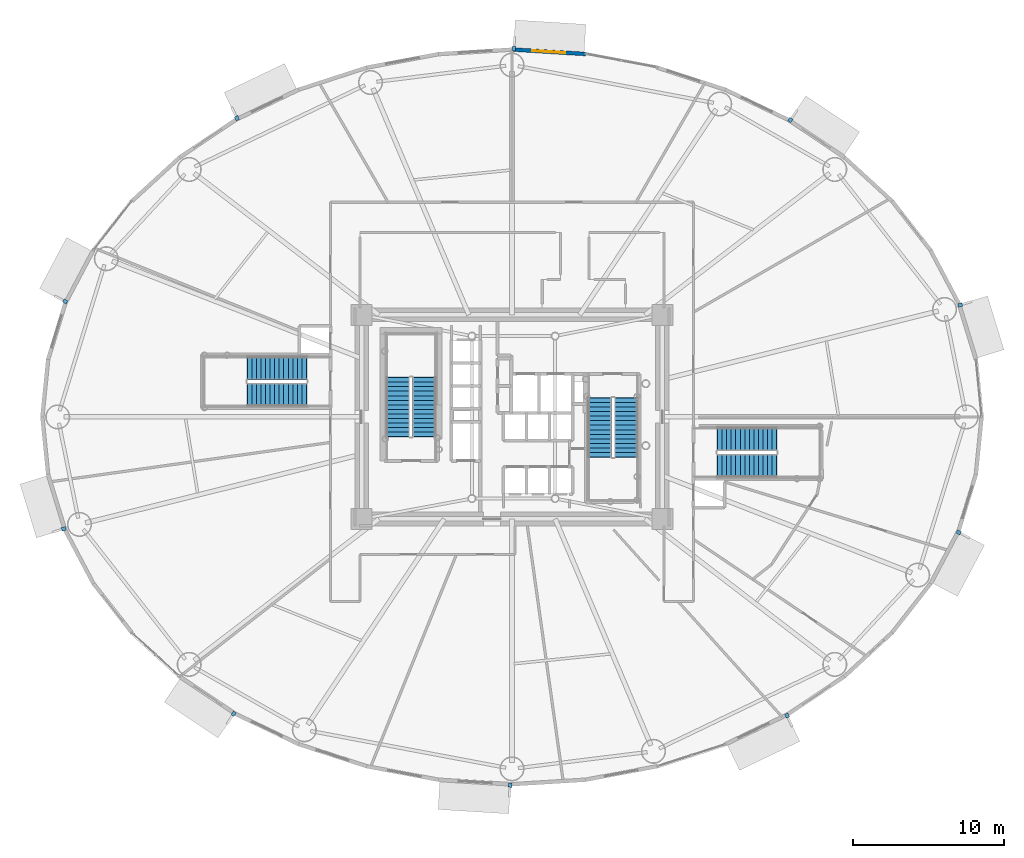
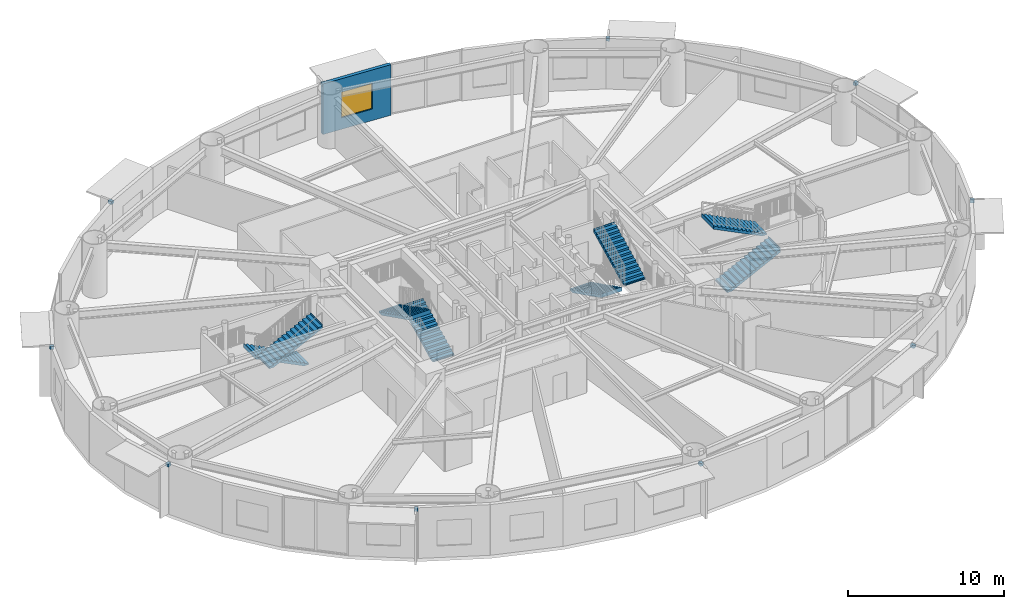
# One storey, part 17 of 29: 10 discrete accessories, 8 stair flights, 1 wall, 1 window, 1 opening, 4 elements without a shape of their own.
"""IFC4 building model written with IfcOpenShell, lengths in metres."""

from ifc_helpers import new_model, si_unit, direction, frame, frame_2d, origin, origin_2d, place, context, subcontext, project, spatial, polyline, rectangle, outline, extrude, source, transform, mapped, material, layer, layer_set, type_object, element, fill, aggregate, save


model = new_model("IFC4")

# Units and contexts
model_context = context("Model", 3, precision=1e-05, world=origin(), true_north=direction((0.0, 1.0)))
body_context = subcontext(model_context, "Body", "Model", "MODEL_VIEW")
ifc_project = project(units=[si_unit("LENGTHUNIT", "METRE"), si_unit("AREAUNIT", "SQUARE_METRE"), si_unit("VOLUMEUNIT", "CUBIC_METRE"), si_unit("PLANEANGLEUNIT", "RADIAN"), si_unit("MASSUNIT", "GRAM", prefix="KILO")], contexts=[model_context])

# Site, building, storey
site_placement = place(None, origin())
site = spatial("IfcSite", under=ifc_project, at=site_placement, CompositionType="ELEMENT")
building_placement = place(site_placement, origin())
building = spatial("IfcBuilding", under=site, at=building_placement, Name="Linh Dai School and Residence Tower", CompositionType="ELEMENT")
storey_placement = place(building_placement, frame((0.0, 0.0, 45.0)))
storey = spatial("IfcBuildingStorey", under=building, at=storey_placement, Name="L10", CompositionType="ELEMENT", Elevation=45.0)

# Wall, opening, window
ifc_material_1 = material(Name="Precast Concrete B45 (C35/45)", Category="concrete")
ifc_layer = layer(ifc_material_1, 0.25)
ifc_layer_set = layer_set([ifc_layer], Name="Precast Concrete B45 (C35/45)")
wall_type = type_object("IfcWallType", Name="EW-TC-250", PredefinedType="SOLIDWALL", material=ifc_layer_set)
wall_placement = place(storey_placement, frame((36.0, 51.304931640625, 0.0), z_axis=(0.0, 0.0, 1.0), x_axis=(0.998106954071, -0.061502099433, 0.0)))
wall = element("IfcWall", 1, at=wall_placement, inside=storey, type_object=wall_type, Name="L10 Terracotta Exterior Wall 10", PredefinedType="SOLIDWALL", context=body_context, shape_type="SweptSolid", body=[
    extrude(rectangle(XDim=4.874755859375, YDim=0.25, at=frame_2d((2.4375, 0.0))), origin(), (0.0, 0.0, 1.0), 3.949951171875),
])
opening_placement = place(wall_placement, frame((1.33740234375, 0.0, 0.89990234375)))
opening = element("IfcOpeningElement", 2, at=opening_placement, cuts=wall, Name="Opening W4", PredefinedType="OPENING", context=body_context, shape_type="SweptSolid", body=[
    extrude(rectangle(XDim=2.199951171875, YDim=2.0, at=origin_2d()), frame((1.10009765625, 0.135009765625, 1.0), z_axis=(0.0, -1.0, 0.0), x_axis=(1.0, 0.0, 0.0)), (0.0, 0.0, 1.0), 0.27001953125),
])
ifc_material_2 = material(Name="Acoustic Laminated Low-E Glazing", Category="glass")
window_type = type_object("IfcWindowType", Name="WN-SCH-2200x2000", PartitioningType="TRIPLE_PANEL_VERTICAL", PredefinedType="WINDOW", material=ifc_material_2)
shared_shape_1 = source(origin(), body_context, "Body", "SweptSolid", [
    extrude(rectangle(XDim=2.199951171875, YDim=2.0, at=origin_2d()), frame((1.10009765625, 0.030029296875, 1.0), z_axis=(0.0, -1.0, 0.0), x_axis=(1.0, 0.0, 0.0)), (0.0, 0.0, 1.0), 0.06005859375),
])
window_placement = place(opening_placement, origin())
window = element("IfcWindow", 3, at=window_placement, inside=storey, type_object=window_type, Name="L10 Exterior Window 10.1", OverallHeight=2.0, OverallWidth=2.199951171875, PartitioningType="TRIPLE_PANEL_VERTICAL", PredefinedType="WINDOW", context=body_context, shape_type="MappedRepresentation", body=[
    mapped(shared_shape_1, transform((0.0, 0.0, 0.0), x_axis=(1.0, 0.0, 0.0), y_axis=(0.0, 1.0, 0.0), z_axis=(0.0, 0.0, 1.0), scale=1.0)),
])
fill(opening, window)

# Stair, stair flights
ifc_material_3 = material(Name="Concrete B45 (C35/45)", Category="concrete")
stair_type = type_object("IfcStairType", Name="ST-DOG-1550-R1500", PredefinedType="HALF_TURN_STAIR", material=ifc_material_3)
stair_1_placement = place(storey_placement, origin())
stair_1 = element("IfcStair", 4, at=stair_1_placement, inside=storey, type_object=stair_type, Name="L10 Core Smokeproof Exit Stair ST1", PredefinedType="HALF_TURN_STAIR")
stair_flight_type = type_object("IfcStairFlightType", Name="STF-STR-1550-R1500", PredefinedType="STRAIGHT", material=ifc_material_3)
shared_shape_2 = source(origin(), body_context, "Body", "SweptSolid", [
    extrude(outline(polyline([(-0.02490234375, 0.0), (-0.02490234375, 0.06005859375), (0.0, 0.06005859375), (0.0, 0.14990234375), (0.300048828125, 0.14990234375), (0.300048828125, 0.300048828125), (0.60009765625, 0.300048828125), (0.60009765625, 0.449951171875), (0.89990234375, 0.449951171875), (0.89990234375, 0.60009765625), (1.199951171875, 0.60009765625), (1.199951171875, 0.75), (1.5, 0.75), (1.5, 0.89990234375), (1.800048828125, 0.89990234375), (1.800048828125, 1.050048828125), (2.10009765625, 1.050048828125), (2.10009765625, 1.199951171875), (2.39990234375, 1.199951171875), (2.39990234375, 1.35009765625), (2.699951171875, 1.35009765625), (2.699951171875, 1.5), (3.0, 1.5), (3.0, 1.64990234375), (3.300048828125, 1.64990234375), (3.300048828125, 1.800048828125), (3.60009765625, 1.800048828125), (3.60009765625, 1.949951171875), (3.89990234375, 1.949951171875), (3.89990234375, 2.10009765625), (3.925048828125, 2.10009765625), (3.925048828125, 1.782470703125), (3.89990234375, 1.782470703125), (0.335205078125, 0.0), (-0.02490234375, 0.0)])), frame((0.0, 0.77490234375, 0.0), z_axis=(0.0, -1.0, 0.0), x_axis=(1.0, 0.0, 0.0)), (0.0, 0.0, 1.0), 1.550048828125),
])
stair_flight_1_placement = place(storey_placement, frame((30.205078125, 25.699951171875, 0.0), z_axis=(0.0, 0.0, 1.0), x_axis=(0.0, 1.0, 0.0)))
stair_flight_1 = element("IfcStairFlight", 5, at=stair_flight_1_placement, type_object=stair_flight_type, Name="ST1 flight 1", NumberOfRisers=14, NumberOfTreads=13, PredefinedType="STRAIGHT", RiserHeight=0.15, TreadLength=0.3, context=body_context, shape_type="MappedRepresentation", body=[
    mapped(shared_shape_2, transform((0.0, 0.0, 0.0), x_axis=(1.0, 0.0, 0.0), y_axis=(0.0, 1.0, 0.0), z_axis=(0.0, 0.0, 1.0), scale=1.0)),
])
stair_flight_2_placement = place(storey_placement, frame((28.455078125, 29.60009765625, 2.10009765625), z_axis=(0.0, 0.0, 1.0), x_axis=(0.0, -1.0, 0.0)))
stair_flight_2 = element("IfcStairFlight", 6, at=stair_flight_2_placement, type_object=stair_flight_type, Name="ST1 flight 2", NumberOfRisers=14, NumberOfTreads=13, PredefinedType="STRAIGHT", RiserHeight=0.15, TreadLength=0.3, context=body_context, shape_type="MappedRepresentation", body=[
    mapped(shared_shape_2, transform((0.0, 0.0, 0.0), x_axis=(1.0, 0.0, 0.0), y_axis=(0.0, 1.0, 0.0), z_axis=(0.0, 0.0, 1.0), scale=1.0)),
])
aggregate(stair_1, [stair_flight_1, stair_flight_2])

stair_2_placement = place(storey_placement, origin())
stair_2 = element("IfcStair", 7, at=stair_2_placement, inside=storey, type_object=stair_type, Name="L10 Core Smokeproof Exit Stair ST2", PredefinedType="HALF_TURN_STAIR")
stair_flight_3_placement = place(storey_placement, frame((41.794921875, 28.25, 0.0), z_axis=(0.0, 0.0, 1.0), x_axis=(0.0, -1.0, 0.0)))
stair_flight_3 = element("IfcStairFlight", 8, at=stair_flight_3_placement, type_object=stair_flight_type, Name="ST2 flight 1", NumberOfRisers=14, NumberOfTreads=13, PredefinedType="STRAIGHT", RiserHeight=0.15, TreadLength=0.3, context=body_context, shape_type="MappedRepresentation", body=[
    mapped(shared_shape_2, transform((0.0, 0.0, 0.0), x_axis=(1.0, 0.0, 0.0), y_axis=(0.0, 1.0, 0.0), z_axis=(0.0, 0.0, 1.0), scale=1.0)),
])
stair_flight_4_placement = place(storey_placement, frame((43.544921875, 24.35009765625, 2.10009765625), z_axis=(0.0, 0.0, 1.0), x_axis=(0.0, 1.0, 0.0)))
stair_flight_4 = element("IfcStairFlight", 9, at=stair_flight_4_placement, type_object=stair_flight_type, Name="ST2 flight 2", NumberOfRisers=14, NumberOfTreads=13, PredefinedType="STRAIGHT", RiserHeight=0.15, TreadLength=0.3, context=body_context, shape_type="MappedRepresentation", body=[
    mapped(shared_shape_2, transform((0.0, 0.0, 0.0), x_axis=(1.0, 0.0, 0.0), y_axis=(0.0, 1.0, 0.0), z_axis=(0.0, 0.0, 1.0), scale=1.0)),
])
aggregate(stair_2, [stair_flight_3, stair_flight_4])

stair_3_placement = place(storey_placement, origin())
stair_3 = element("IfcStair", 10, at=stair_3_placement, inside=storey, type_object=stair_type, Name="L10 School Exit Stair STS1", PredefinedType="HALF_TURN_STAIR")
stair_flight_5_placement = place(storey_placement, frame((22.39990234375, 30.22509765625, 0.0), z_axis=(0.0, 0.0, 1.0), x_axis=(-1.0, 0.0, 0.0)))
stair_flight_5 = element("IfcStairFlight", 11, at=stair_flight_5_placement, type_object=stair_flight_type, Name="STS1 flight 1", NumberOfRisers=14, NumberOfTreads=13, PredefinedType="STRAIGHT", RiserHeight=0.15, TreadLength=0.3, context=body_context, shape_type="MappedRepresentation", body=[
    mapped(shared_shape_2, transform((0.0, 0.0, 0.0), x_axis=(1.0, 0.0, 0.0), y_axis=(0.0, 1.0, 0.0), z_axis=(0.0, 0.0, 1.0), scale=1.0)),
])
stair_flight_6_placement = place(storey_placement, frame((18.5, 28.47509765625, 2.10009765625), z_axis=(0.0, 0.0, 1.0), x_axis=(1.0, 0.0, 0.0)))
stair_flight_6 = element("IfcStairFlight", 12, at=stair_flight_6_placement, type_object=stair_flight_type, Name="STS1 flight 2", NumberOfRisers=14, NumberOfTreads=13, PredefinedType="STRAIGHT", RiserHeight=0.15, TreadLength=0.3, context=body_context, shape_type="MappedRepresentation", body=[
    mapped(shared_shape_2, transform((0.0, 0.0, 0.0), x_axis=(1.0, 0.0, 0.0), y_axis=(0.0, 1.0, 0.0), z_axis=(0.0, 0.0, 1.0), scale=1.0)),
])
aggregate(stair_3, [stair_flight_5, stair_flight_6])

stair_4_placement = place(storey_placement, origin())
stair_4 = element("IfcStair", 13, at=stair_4_placement, inside=storey, type_object=stair_type, Name="L10 School Exit Stair STS2", PredefinedType="HALF_TURN_STAIR")
stair_flight_7_placement = place(storey_placement, frame((49.60009765625, 23.77490234375, 0.0), z_axis=(0.0, 0.0, 1.0), x_axis=(1.0, 0.0, 0.0)))
stair_flight_7 = element("IfcStairFlight", 14, at=stair_flight_7_placement, type_object=stair_flight_type, Name="STS2 flight 1", NumberOfRisers=14, NumberOfTreads=13, PredefinedType="STRAIGHT", RiserHeight=0.15, TreadLength=0.3, context=body_context, shape_type="MappedRepresentation", body=[
    mapped(shared_shape_2, transform((0.0, 0.0, 0.0), x_axis=(1.0, 0.0, 0.0), y_axis=(0.0, 1.0, 0.0), z_axis=(0.0, 0.0, 1.0), scale=1.0)),
])
stair_flight_8_placement = place(storey_placement, frame((53.5, 25.52490234375, 2.10009765625), z_axis=(0.0, 0.0, 1.0), x_axis=(-1.0, 0.0, 0.0)))
stair_flight_8 = element("IfcStairFlight", 15, at=stair_flight_8_placement, type_object=stair_flight_type, Name="STS2 flight 2", NumberOfRisers=14, NumberOfTreads=13, PredefinedType="STRAIGHT", RiserHeight=0.15, TreadLength=0.3, context=body_context, shape_type="MappedRepresentation", body=[
    mapped(shared_shape_2, transform((0.0, 0.0, 0.0), x_axis=(1.0, 0.0, 0.0), y_axis=(0.0, 1.0, 0.0), z_axis=(0.0, 0.0, 1.0), scale=1.0)),
])
aggregate(stair_4, [stair_flight_7, stair_flight_8])

# Discrete accessories
ifc_material_4 = material(Name="Structural Steel S355JR", Category="steel")
discrete_accessory_type = type_object("IfcDiscreteAccessoryType", Name="ACC-BRK-S355", PredefinedType="BRACKET", material=ifc_material_4)
shared_shape_3 = source(origin(), body_context, "Body", "SweptSolid", [
    extrude(rectangle(XDim=0.280029296875, YDim=0.239990234375, at=origin_2d()), origin(), (0.0, 0.0, 1.0), 0.219970703125),
])
for number, where, z_axis, x_axis, name in (
    (16, (65.650146484375, 34.404296875, 3.7001953125), (0.0, 0.0, 1.0), (0.956067769001, 0.293145733514, 0.0), "L10 Facade Frame Anchor Bracket 02"),
    (17, (54.41015625, 46.638916015625, 3.7001953125), (0.0, 0.0, 1.0), (0.555897899828, 0.831250578927, 0.0), "L10 Facade Frame Anchor Bracket 06"),
    (18, (36.12353515625, 51.357421875, 3.7001953125), (0.0, 0.0, 1.0), (0.061506595367, 0.998106677027, 0.0), "L10 Facade Frame Anchor Bracket 10"),
    (19, (17.80517578125, 46.76171875, 3.7001953125), (0.0, 0.0, 1.0), (-0.432603008528, 0.901584514626, 0.0), "L10 Facade Frame Anchor Bracket 14"),
    (20, (6.445556640625, 34.635498046875, 3.7001953125), (0.0, 0.0, 1.0), (-0.883933862645, 0.467611940042, 0.0), "L10 Facade Frame Anchor Bracket 18"),
    (21, (6.349853515625, 19.595703125, 3.7001953125), (0.0, 0.0, 1.0), (-0.956067769001, -0.293145733514, 0.0), "L10 Facade Frame Anchor Bracket 22"),
    (22, (17.58984375, 7.361083984375, 3.7001953125), (0.0, 0.0, 1.0), (-0.555897899828, -0.831250578927, 0.0), "L10 Facade Frame Anchor Bracket 26"),
    (23, (35.87646484375, 2.642578125, 3.7001953125), (0.0, 0.0, 1.0), (-0.061506595367, -0.998106677027, 0.0), "L10 Facade Frame Anchor Bracket 30"),
    (24, (54.19482421875, 7.23828125, 3.7001953125), (0.0, 0.0, 1.0), (0.432603008528, -0.901584514626, 0.0), "L10 Facade Frame Anchor Bracket 34"),
    (25, (65.554443359375, 19.364501953125, 3.7001953125), (0.0, 0.0, 1.0), (0.883933862645, -0.467611940042, 0.0), "L10 Facade Frame Anchor Bracket 38"),
):
    element("IfcDiscreteAccessory", number, at=place(storey_placement, frame(where, z_axis=z_axis, x_axis=x_axis)), inside=storey, type_object=discrete_accessory_type, Name=name, PredefinedType="BRACKET", context=body_context, shape_type="MappedRepresentation", body=[
        mapped(shared_shape_3, transform((0.0, 0.0, 0.0), x_axis=(1.0, 0.0, 0.0), y_axis=(0.0, 1.0, 0.0), z_axis=(0.0, 0.0, 1.0), scale=1.0)),
    ])

save(model, "model.ifc")
